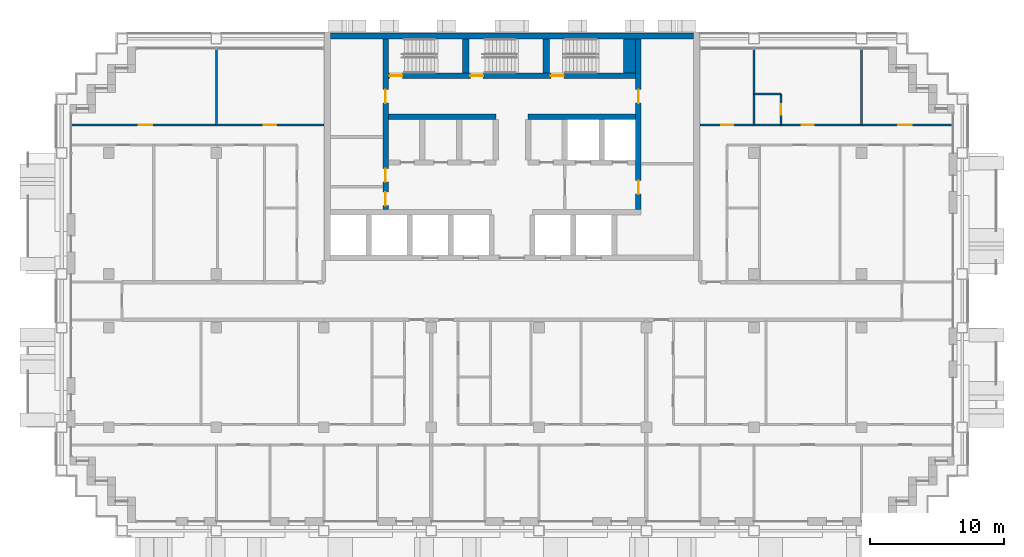
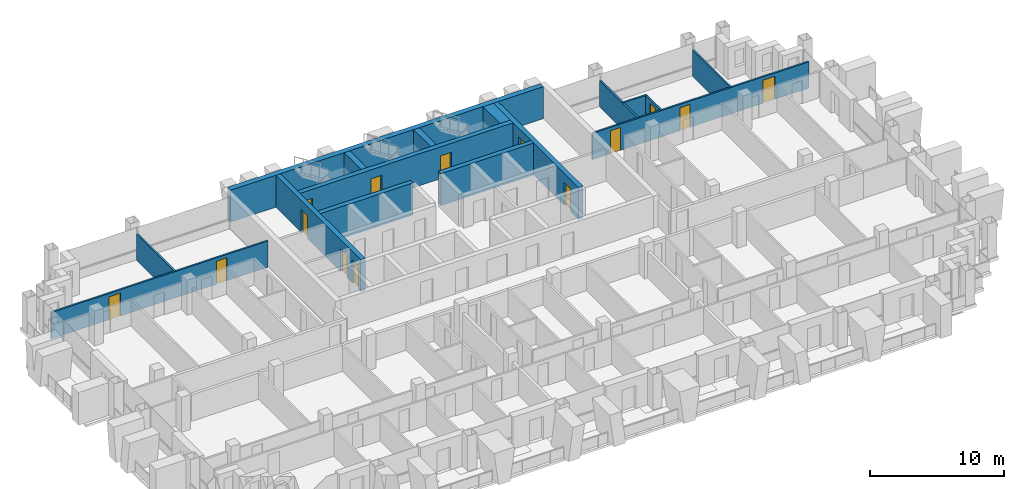
# One storey, part 11 of 16: 16 walls, 14 doors, 14 openings.
"""IFC4 building model written with IfcOpenShell, lengths in metres."""

import ifcopenshell
import ifcopenshell.guid

model = None  # the IFC model being written
_history = None  # IfcOwnerHistory: only IFC2X3 demands one
_inside = {}  # id of a spatial element -> (the spatial element, [elements in it])
_under = {}  # id of a project, library or spatial element -> (it, [spatial elements below it])
_declared = {}  # id of a project -> (the project, [libraries it declares])
_typed = {}  # id of a type object -> (the type object, [elements of that type])
_made_of = {}  # id of a material, layer set ... -> (it, [elements and type objects made of it])


def new_model(schema):
    """Start an empty IFC model of exactly this schema.

    Asked for "IFC4X3", IfcOpenShell would pick the latest addendum, in which some entities
    have other attributes; the version numbers below select the first issue.
    IFC2X3 requires an IfcOwnerHistory on every rooted entity: one is made here for all.
    """
    global model, _history
    if schema == "IFC4X3":
        model = ifcopenshell.file(schema_version=(4, 3, 0, 0))
    else:
        model = ifcopenshell.file(schema=schema)
    _inside.clear()
    _under.clear()
    _declared.clear()
    _typed.clear()
    _made_of.clear()
    _history = None
    if model.schema == "IFC2X3":
        org = make("IfcOrganization", Name="unknown")
        user = make(
            "IfcPersonAndOrganization",
            ThePerson=make("IfcPerson", FamilyName="unknown"),
            TheOrganization=org,
        )
        app = make(
            "IfcApplication",
            ApplicationDeveloper=org,
            Version="unknown",
            ApplicationFullName="unknown",
            ApplicationIdentifier="unknown",
        )
        _history = make(
            "IfcOwnerHistory",
            OwningUser=user,
            OwningApplication=app,
            ChangeAction="ADDED",
            CreationDate=0,
        )
    return model


def make(cls, **values):
    """One entity of the class cls with the attributes given. An attribute that is None is left unset."""
    return model.create_entity(
        cls, **{name: value for name, value in values.items() if value is not None}
    )


def rooted(cls, **values):
    """An entity with a GlobalId (a new one), such as an element, a storey or a relation."""
    return make(cls, GlobalId=ifcopenshell.guid.new(), OwnerHistory=_history, **values)


def si_unit(unit_type, name, prefix=None):
    """IfcSIUnit, for example si_unit("LENGTHUNIT", "METRE", prefix="MILLI")."""
    return make("IfcSIUnit", UnitType=unit_type, Prefix=prefix, Name=name)


def assignment(units):
    """IfcUnitAssignment: the units of a project."""
    return None if units is None else make("IfcUnitAssignment", Units=units)


def point(xyz):
    """IfcCartesianPoint."""
    return None if xyz is None else make("IfcCartesianPoint", Coordinates=xyz)


def direction(xyz):
    """IfcDirection."""
    return None if xyz is None else make("IfcDirection", DirectionRatios=xyz)


def frame(location, z_axis=None, x_axis=None):
    """IfcAxis2Placement3D, a coordinate frame: its origin and axes. An axis left out is left unset."""
    return make(
        "IfcAxis2Placement3D",
        Location=point(location),
        Axis=direction(z_axis),
        RefDirection=direction(x_axis),
    )


def frame_2d(location, x_axis=None):
    """IfcAxis2Placement2D, a coordinate frame in the plane: its origin and x axis."""
    return make(
        "IfcAxis2Placement2D", Location=point(location), RefDirection=direction(x_axis)
    )


def origin():
    """The frame at (0, 0, 0) with its axes left unset."""
    return frame((0.0, 0.0, 0.0))


def place(relative_to, where):
    """IfcLocalPlacement: puts the frame where relative to a parent placement (None: the world)."""
    return make(
        "IfcLocalPlacement", PlacementRelTo=relative_to, RelativePlacement=where
    )


def context(
    kind, dimensions, precision=None, world=None, true_north=None, identifier=None
):
    """IfcGeometricRepresentationContext, for example the 3D "Model" context."""
    return make(
        "IfcGeometricRepresentationContext",
        ContextIdentifier=identifier,
        ContextType=kind,
        CoordinateSpaceDimension=dimensions,
        Precision=precision,
        WorldCoordinateSystem=world,
        TrueNorth=true_north,
    )


def subcontext(parent, identifier, kind, view, scale=None):
    """IfcGeometricRepresentationSubContext, for example "Body" below "Model"."""
    return make(
        "IfcGeometricRepresentationSubContext",
        ContextIdentifier=identifier,
        ContextType=kind,
        ParentContext=parent,
        TargetScale=scale,
        TargetView=view,
    )


def project(units=None, contexts=None):
    """IfcProject with its units and contexts."""
    return rooted(
        "IfcProject",
        Name="project",
        RepresentationContexts=contexts,
        UnitsInContext=assignment(units),
    )


def spatial(cls, under=None, at=None, **own):
    """A site, building, storey or space (cls), placed at a placement, below another one or the project."""
    s = rooted(cls, ObjectPlacement=at, **own)
    if under is not None:
        _under.setdefault(under.id(), (under, []))[1].append(s)
    return s


def profile(cls, at=None, kind="AREA", **sizes):
    """A parametric profile (cls). Its sizes go by their IFC names, for example OverallWidth=200.0."""
    return make(cls, ProfileType=kind, Position=at, **sizes)


def rectangle(**sizes):
    """IfcRectangleProfileDef."""
    return profile("IfcRectangleProfileDef", **sizes)


def extrude(swept, where, along, depth):
    """IfcExtrudedAreaSolid: the profile swept, set in the frame where, extruded along a direction by depth."""
    return make(
        "IfcExtrudedAreaSolid",
        SweptArea=swept,
        Position=where,
        ExtrudedDirection=direction(along),
        Depth=depth,
    )


def shape(context_of_items, identifier, shape_type, items):
    """IfcShapeRepresentation: the items that make up one representation, for example the "Body"."""
    return make(
        "IfcShapeRepresentation",
        ContextOfItems=context_of_items,
        RepresentationIdentifier=identifier,
        RepresentationType=shape_type,
        Items=items,
    )


def material(Name=None, Category=None):
    """IfcMaterial."""
    return make("IfcMaterial", Name=Name, Category=Category)


def layer(
    of_material, thickness, ventilated=None, Name=None, Category=None, Priority=None
):
    """IfcMaterialLayer: one layer of a wall or slab, of a material (None: an air gap)."""
    return make(
        "IfcMaterialLayer",
        Material=of_material,
        LayerThickness=thickness,
        IsVentilated=ventilated,
        Name=Name,
        Category=Category,
        Priority=Priority,
    )


def layer_set(layers, Name=None):
    """IfcMaterialLayerSet."""
    return make("IfcMaterialLayerSet", MaterialLayers=layers, LayerSetName=Name)


def made_of(thing, what):
    """Note that an element or type object is made of a material, layer set ...; save() writes the relation."""
    if what is not None:
        _made_of.setdefault(what.id(), (what, []))[1].append(thing)
    return thing


def type_object(cls, material=None, **own):
    """A type object (cls), such as IfcWallType, which elements share."""
    return made_of(rooted(cls, **own), material)


def element(
    cls,
    number,
    at=None,
    inside=None,
    cuts=None,
    type_object=None,
    material=None,
    context=None,
    identifier="Body",
    shape_type=None,
    held_by="IfcProductDefinitionShape",
    body=None,
    shapes=None,
    **own,
):
    """One element of the class cls, such as IfcWall. Its Tag is "e" and its number.

    at: its placement. inside: the storey or other place that contains it. cuts: it is an
    opening in that element (IfcRelVoidsElement). A single representation is given by context,
    identifier, shape_type and body (its items); several are given by shapes. held_by: the class
    of the entity that holds the representations. save() writes the other relations.
    """
    e = rooted(cls, Tag="e%d" % number, ObjectPlacement=at, **own)
    if body is not None:
        shapes = [shape(context, identifier, shape_type, body)]
    if shapes is not None:
        e.Representation = make(held_by, Representations=shapes)
    if inside is not None:
        _inside.setdefault(inside.id(), (inside, []))[1].append(e)
    if cuts is not None:
        rooted(
            "IfcRelVoidsElement", RelatingBuildingElement=cuts, RelatedOpeningElement=e
        )
    if type_object is not None:
        _typed.setdefault(type_object.id(), (type_object, []))[1].append(e)
    return made_of(e, material)


def fill(opening, filler):
    """IfcRelFillsElement: the door or window that sits in an opening."""
    return rooted(
        "IfcRelFillsElement",
        RelatingOpeningElement=opening,
        RelatedBuildingElement=filler,
    )


def aggregate(whole, parts):
    """IfcRelAggregates: a whole, such as a stair, and the parts it consists of."""
    return rooted("IfcRelAggregates", RelatingObject=whole, RelatedObjects=parts)


def save(model, path):
    """Write the relations noted so far, then the file.

    IfcRelAggregates (storeys below a building ...), IfcRelContainedInSpatialStructure (elements
    in a storey), IfcRelDefinesByType, IfcRelAssociatesMaterial and IfcRelDeclares: one each for
    every whole, place, type object, material and project.
    """
    for whole, parts in _under.values():
        aggregate(whole, parts)
    for where, things in _inside.values():
        rooted(
            "IfcRelContainedInSpatialStructure",
            RelatedElements=things,
            RelatingStructure=where,
        )
    for kind, things in _typed.values():
        rooted("IfcRelDefinesByType", RelatedObjects=things, RelatingType=kind)
    for what, things in _made_of.values():
        rooted("IfcRelAssociatesMaterial", RelatedObjects=things, RelatingMaterial=what)
    for by, libraries in _declared.values():
        rooted("IfcRelDeclares", RelatingContext=by, RelatedDefinitions=libraries)
    model.write(path)


model = new_model("IFC4")

# Units and contexts
model_context = context("Model", 3, precision=1e-05, world=origin(), true_north=direction((0.0, 1.0)))
body_context = subcontext(model_context, "Body", "Model", "MODEL_VIEW")
ifc_project = project(units=[si_unit("LENGTHUNIT", "METRE"), si_unit("AREAUNIT", "SQUARE_METRE"), si_unit("VOLUMEUNIT", "CUBIC_METRE"), si_unit("PLANEANGLEUNIT", "RADIAN"), si_unit("MASSUNIT", "GRAM", prefix="KILO")], contexts=[model_context])

# Site, building, storey
site_placement = place(None, origin())
site = spatial("IfcSite", under=ifc_project, at=site_placement, CompositionType="ELEMENT")
building_placement = place(site_placement, origin())
building = spatial("IfcBuilding", under=site, at=building_placement, Name="Vidyagriha Tower", CompositionType="ELEMENT")
storey_placement = place(building_placement, frame((0.0, 0.0, 135.800048828125)))
storey = spatial("IfcBuildingStorey", under=building, at=storey_placement, Name="L35", CompositionType="ELEMENT", Elevation=135.800048828125)

# Wall, openings, doors
ifc_material_1 = material(Name="Concrete C60/75", Category="concrete")
ifc_layer_1 = layer(ifc_material_1, 0.39990234375)
ifc_layer_set_1 = layer_set([ifc_layer_1], Name="Concrete C60/75")
wall_type_1 = type_object("IfcWallType", Name="Core shear wall 400 mm", PredefinedType="SHEAR", material=ifc_layer_set_1)
wall_1_placement = place(storey_placement, frame((-9.39990234375, 6.800048828125, 0.0), z_axis=(0.0, 0.0, 1.0), x_axis=(0.0, 1.0, 0.0)))
wall_1 = element("IfcWall", 1, at=wall_1_placement, inside=storey, type_object=wall_type_1, Name="Core west spine wall", PredefinedType="SHEAR", context=body_context, shape_type="SweptSolid", body=[
    extrude(rectangle(XDim=12.699951171875, YDim=0.39990234375, at=frame_2d((6.35009765625, 0.0))), origin(), (0.0, 0.0, 1.0), 2.919921875),
])
opening_1_placement = place(wall_1_placement, frame((0.300048828125, 0.0, 0.0)))
opening_1 = element("IfcOpeningElement", 2, at=opening_1_placement, cuts=wall_1, Name="Opening D35-10", PredefinedType="OPENING", context=body_context, shape_type="SweptSolid", body=[
    extrude(rectangle(XDim=1.0, YDim=2.10009765625, at=frame_2d((0.5, 1.050048828125))), frame((0.0, 0.2099609375, 0.0), z_axis=(0.0, -1.0, 0.0), x_axis=(1.0, 0.0, 0.0)), (0.0, 0.0, 1.0), 0.419921875),
])
opening_2_placement = place(wall_1_placement, frame((2.050048828125, 0.0, 0.0)))
opening_2 = element("IfcOpeningElement", 3, at=opening_2_placement, cuts=wall_1, Name="Opening D35-11", PredefinedType="OPENING", context=body_context, shape_type="SweptSolid", body=[
    extrude(rectangle(XDim=1.0, YDim=2.10009765625, at=frame_2d((0.5, 1.050048828125))), frame((0.0, 0.2099609375, 0.0), z_axis=(0.0, -1.0, 0.0), x_axis=(1.0, 0.0, 0.0)), (0.0, 0.0, 1.0), 0.419921875),
])
opening_3_placement = place(wall_1_placement, frame((7.925048828125, 0.0, 0.0)))
opening_3 = element("IfcOpeningElement", 4, at=opening_3_placement, cuts=wall_1, Name="Opening D35-12", PredefinedType="OPENING", context=body_context, shape_type="SweptSolid", body=[
    extrude(rectangle(XDim=1.0, YDim=2.10009765625, at=frame_2d((0.5, 1.050048828125))), frame((0.0, 0.2099609375, 0.0), z_axis=(0.0, -1.0, 0.0), x_axis=(1.0, 0.0, 0.0)), (0.0, 0.0, 1.0), 0.419921875),
])
ifc_material_2 = material(Name="Hollow metal door leaf")
door_type_1 = type_object("IfcDoorType", Name="Core room door 1000 x 2100 mm EI 60", OperationType="NOTDEFINED", PredefinedType="DOOR", material=ifc_material_2)
door_1_placement = place(opening_1_placement, frame((1.0, 0.0, 0.0), z_axis=(0.0, 0.0, 1.0), x_axis=(-1.0, 0.0, 0.0)))
door_1 = element("IfcDoor", 5, at=door_1_placement, inside=storey, type_object=door_type_1, Name="Door Communications Room 35.W1", OperationType="SINGLE_SWING_RIGHT", OverallHeight=2.10009765625, OverallWidth=1.0, PredefinedType="DOOR", context=body_context, shape_type="SweptSolid", body=[
    extrude(rectangle(XDim=1.0, YDim=2.10009765625, at=frame_2d((0.5, 1.050048828125))), frame((0.0, 0.02490234375, 0.0), z_axis=(0.0, -1.0, 0.0), x_axis=(1.0, 0.0, 0.0)), (0.0, 0.0, 1.0), 0.050048828125),
])
fill(opening_1, door_1)
door_2_placement = place(opening_2_placement, frame((1.0, 0.0, 0.0), z_axis=(0.0, 0.0, 1.0), x_axis=(-1.0, 0.0, 0.0)))
door_2 = element("IfcDoor", 6, at=door_2_placement, inside=storey, type_object=door_type_1, Name="Door Pressurisation Plant Room 35.W2", OperationType="SINGLE_SWING_LEFT", OverallHeight=2.10009765625, OverallWidth=1.0, PredefinedType="DOOR", context=body_context, shape_type="SweptSolid", body=[
    extrude(rectangle(XDim=1.0, YDim=2.10009765625, at=frame_2d((0.5, 1.050048828125))), frame((0.0, 0.02490234375, 0.0), z_axis=(0.0, -1.0, 0.0), x_axis=(1.0, 0.0, 0.0)), (0.0, 0.0, 1.0), 0.050048828125),
])
fill(opening_2, door_2)
door_3_placement = place(opening_3_placement, frame((1.0, 0.0, 0.0), z_axis=(0.0, 0.0, 1.0), x_axis=(-1.0, 0.0, 0.0)))
door_3 = element("IfcDoor", 7, at=door_3_placement, inside=storey, type_object=door_type_1, Name="Door Switchgear Room 35.W3", OperationType="SINGLE_SWING_LEFT", OverallHeight=2.10009765625, OverallWidth=1.0, PredefinedType="DOOR", context=body_context, shape_type="SweptSolid", body=[
    extrude(rectangle(XDim=1.0, YDim=2.10009765625, at=frame_2d((0.5, 1.050048828125))), frame((0.0, 0.02490234375, 0.0), z_axis=(0.0, -1.0, 0.0), x_axis=(1.0, 0.0, 0.0)), (0.0, 0.0, 1.0), 0.050048828125),
])
fill(opening_3, door_3)

wall_2_placement = place(storey_placement, frame((9.39990234375, 6.800048828125, 0.0), z_axis=(0.0, 0.0, 1.0), x_axis=(0.0, 1.0, 0.0)))
wall_2 = element("IfcWall", 8, at=wall_2_placement, inside=storey, type_object=wall_type_1, Name="Core east spine wall", PredefinedType="SHEAR", context=body_context, shape_type="SweptSolid", body=[
    extrude(rectangle(XDim=12.699951171875, YDim=0.39990234375, at=frame_2d((6.35009765625, 0.0))), origin(), (0.0, 0.0, 1.0), 2.919921875),
])
opening_4_placement = place(wall_2_placement, frame((1.14990234375, 0.0, 0.0)))
opening_4 = element("IfcOpeningElement", 9, at=opening_4_placement, cuts=wall_2, Name="Opening D35-13", PredefinedType="OPENING", context=body_context, shape_type="SweptSolid", body=[
    extrude(rectangle(XDim=1.0, YDim=2.10009765625, at=frame_2d((0.5, 1.050048828125))), frame((0.0, 0.2099609375, 0.0), z_axis=(0.0, -1.0, 0.0), x_axis=(1.0, 0.0, 0.0)), (0.0, 0.0, 1.0), 0.419921875),
])
opening_5_placement = place(wall_2_placement, frame((7.925048828125, 0.0, 0.0)))
opening_5 = element("IfcOpeningElement", 10, at=opening_5_placement, cuts=wall_2, Name="Opening D35-14", PredefinedType="OPENING", context=body_context, shape_type="SweptSolid", body=[
    extrude(rectangle(XDim=1.0, YDim=2.10009765625, at=frame_2d((0.5, 1.050048828125))), frame((0.0, 0.2099609375, 0.0), z_axis=(0.0, -1.0, 0.0), x_axis=(1.0, 0.0, 0.0)), (0.0, 0.0, 1.0), 0.419921875),
])
door_4_placement = place(opening_4_placement, origin())
door_4 = element("IfcDoor", 11, at=door_4_placement, inside=storey, type_object=door_type_1, Name="Door Refuse Room 35.E1", OperationType="SINGLE_SWING_RIGHT", OverallHeight=2.10009765625, OverallWidth=1.0, PredefinedType="DOOR", context=body_context, shape_type="SweptSolid", body=[
    extrude(rectangle(XDim=1.0, YDim=2.10009765625, at=frame_2d((0.5, 1.050048828125))), frame((0.0, 0.02490234375, 0.0), z_axis=(0.0, -1.0, 0.0), x_axis=(1.0, 0.0, 0.0)), (0.0, 0.0, 1.0), 0.050048828125),
])
fill(opening_4, door_4)
door_5_placement = place(opening_5_placement, origin())
door_5 = element("IfcDoor", 12, at=door_5_placement, inside=storey, type_object=door_type_1, Name="Door Switchgear Room 35.E2", OperationType="SINGLE_SWING_LEFT", OverallHeight=2.10009765625, OverallWidth=1.0, PredefinedType="DOOR", context=body_context, shape_type="SweptSolid", body=[
    extrude(rectangle(XDim=1.0, YDim=2.10009765625, at=frame_2d((0.5, 1.050048828125))), frame((0.0, 0.02490234375, 0.0), z_axis=(0.0, -1.0, 0.0), x_axis=(1.0, 0.0, 0.0)), (0.0, 0.0, 1.0), 0.050048828125),
])
fill(opening_5, door_5)

# Walls
for number, where, name in (
    (13, (-9.199951171875, 13.699951171875, 0.0), "Core row N rear wall"),
    (14, (1.199951171875, 13.699951171875, 0.0), "Core row N rear wall"),
):
    element("IfcWall", number, at=place(storey_placement, frame(where)), inside=storey, type_object=wall_type_1, Name=name, PredefinedType="SHEAR", context=body_context, shape_type="SweptSolid", body=[
        extrude(rectangle(XDim=8.0, YDim=0.39990234375, at=frame_2d((4.0, 0.0))), origin(), (0.0, 0.0, 1.0), 2.919921875),
    ])

# Wall, openings, doors
wall_3_placement = place(storey_placement, frame((-9.199951171875, 16.75, 0.0)))
wall_3 = element("IfcWall", 15, at=wall_3_placement, inside=storey, type_object=wall_type_1, Name="Stair front wall", PredefinedType="SHEAR", context=body_context, shape_type="SweptSolid", body=[
    extrude(rectangle(XDim=18.39990234375, YDim=0.39990234375, at=frame_2d((9.199951171875, 0.0))), origin(), (0.0, 0.0, 1.0), 2.919921875),
])
opening_6_placement = place(wall_3_placement, frame((0.10009765625, 0.0, 0.0)))
opening_6 = element("IfcOpeningElement", 16, at=opening_6_placement, cuts=wall_3, Name="Opening D35-07", PredefinedType="OPENING", context=body_context, shape_type="SweptSolid", body=[
    extrude(rectangle(XDim=0.949951171875, YDim=2.10009765625, at=frame_2d((0.47509765625, 1.050048828125))), frame((0.0, 0.2099609375, 0.0), z_axis=(0.0, -1.0, 0.0), x_axis=(1.0, 0.0, 0.0)), (0.0, 0.0, 1.0), 0.419921875),
])
opening_7_placement = place(wall_3_placement, frame((6.10009765625, 0.0, 0.0)))
opening_7 = element("IfcOpeningElement", 17, at=opening_7_placement, cuts=wall_3, Name="Opening D35-08", PredefinedType="OPENING", context=body_context, shape_type="SweptSolid", body=[
    extrude(rectangle(XDim=0.949951171875, YDim=2.10009765625, at=frame_2d((0.47509765625, 1.050048828125))), frame((0.0, 0.2099609375, 0.0), z_axis=(0.0, -1.0, 0.0), x_axis=(1.0, 0.0, 0.0)), (0.0, 0.0, 1.0), 0.419921875),
])
opening_8_placement = place(wall_3_placement, frame((12.10009765625, 0.0, 0.0)))
opening_8 = element("IfcOpeningElement", 18, at=opening_8_placement, cuts=wall_3, Name="Opening D35-09", PredefinedType="OPENING", context=body_context, shape_type="SweptSolid", body=[
    extrude(rectangle(XDim=0.949951171875, YDim=2.10009765625, at=frame_2d((0.47509765625, 1.050048828125))), frame((0.0, 0.2099609375, 0.0), z_axis=(0.0, -1.0, 0.0), x_axis=(1.0, 0.0, 0.0)), (0.0, 0.0, 1.0), 0.419921875),
])
ifc_material_3 = material(Name="Hollow metal door leaf")
door_type_2 = type_object("IfcDoorType", Name="Exit stair door 950 x 2100 mm EI 90", OperationType="NOTDEFINED", PredefinedType="DOOR", material=ifc_material_3)
door_6_placement = place(opening_6_placement, origin())
door_6 = element("IfcDoor", 19, at=door_6_placement, inside=storey, type_object=door_type_2, Name="Stair door ST1 L35", OperationType="SINGLE_SWING_LEFT", OverallHeight=2.10009765625, OverallWidth=0.949951171875, PredefinedType="DOOR", context=body_context, shape_type="SweptSolid", body=[
    extrude(rectangle(XDim=0.949951171875, YDim=2.10009765625, at=frame_2d((0.47509765625, 1.050048828125))), frame((0.0, 0.02490234375, 0.0), z_axis=(0.0, -1.0, 0.0), x_axis=(1.0, 0.0, 0.0)), (0.0, 0.0, 1.0), 0.050048828125),
])
fill(opening_6, door_6)
door_7_placement = place(opening_7_placement, origin())
door_7 = element("IfcDoor", 20, at=door_7_placement, inside=storey, type_object=door_type_2, Name="Stair door ST2 L35", OperationType="SINGLE_SWING_LEFT", OverallHeight=2.10009765625, OverallWidth=0.949951171875, PredefinedType="DOOR", context=body_context, shape_type="SweptSolid", body=[
    extrude(rectangle(XDim=0.949951171875, YDim=2.10009765625, at=frame_2d((0.47509765625, 1.050048828125))), frame((0.0, 0.02490234375, 0.0), z_axis=(0.0, -1.0, 0.0), x_axis=(1.0, 0.0, 0.0)), (0.0, 0.0, 1.0), 0.050048828125),
])
fill(opening_7, door_7)
door_8_placement = place(opening_8_placement, origin())
door_8 = element("IfcDoor", 21, at=door_8_placement, inside=storey, type_object=door_type_2, Name="Stair door ST3 L35", OperationType="SINGLE_SWING_LEFT", OverallHeight=2.10009765625, OverallWidth=0.949951171875, PredefinedType="DOOR", context=body_context, shape_type="SweptSolid", body=[
    extrude(rectangle(XDim=0.949951171875, YDim=2.10009765625, at=frame_2d((0.47509765625, 1.050048828125))), frame((0.0, 0.02490234375, 0.0), z_axis=(0.0, -1.0, 0.0), x_axis=(1.0, 0.0, 0.0)), (0.0, 0.0, 1.0), 0.050048828125),
])
fill(opening_8, door_8)

# Walls
ifc_material_4 = material(Name="Concrete C60/75", Category="concrete")
ifc_layer_2 = layer(ifc_material_4, 0.449951171875)
ifc_layer_set_2 = layer_set([ifc_layer_2], Name="Concrete C60/75")
wall_type_2 = type_object("IfcWallType", Name="Core shear wall 450 mm", PredefinedType="SHEAR", material=ifc_layer_set_2)
wall_4_placement = place(storey_placement, frame((-13.5, 19.72509765625, 0.0)))
element("IfcWall", 22, at=wall_4_placement, inside=storey, type_object=wall_type_2, Name="Core north wall", PredefinedType="SHEAR", context=body_context, shape_type="SweptSolid", body=[
    extrude(rectangle(XDim=27.0, YDim=0.449951171875, at=frame_2d((13.5, 0.0))), origin(), (0.0, 0.0, 1.0), 2.919921875),
])
ifc_material_5 = material(Name="Concrete C60/75", Category="concrete")
ifc_layer_3 = layer(ifc_material_5, 0.5)
ifc_layer_set_3 = layer_set([ifc_layer_3], Name="Concrete C60/75")
wall_type_3 = type_object("IfcWallType", Name="Core shear wall 500 mm", PredefinedType="SHEAR", material=ifc_layer_set_3)
for number, where, z_axis, x_axis, name in (
    (23, (-3.449951171875, 16.949951171875, 0.0), (0.0, 0.0, 1.0), (0.0, 1.0, 0.0), "Stair partition wall 1"),
    (24, (2.550048828125, 16.949951171875, 0.0), (0.0, 0.0, 1.0), (0.0, 1.0, 0.0), "Stair partition wall 2"),
):
    element("IfcWall", number, at=place(storey_placement, frame(where, z_axis=z_axis, x_axis=x_axis)), inside=storey, type_object=wall_type_3, Name=name, PredefinedType="SHEAR", context=body_context, shape_type="SweptSolid", body=[
        extrude(rectangle(XDim=2.550048828125, YDim=0.5, at=frame_2d((1.27490234375, 0.0))), origin(), (0.0, 0.0, 1.0), 2.919921875),
    ])
ifc_material_6 = material(Name="Concrete C60/75", Category="concrete")
ifc_layer_4 = layer(ifc_material_6, 0.89990234375)
ifc_layer_set_4 = layer_set([ifc_layer_4], Name="Concrete C60/75")
wall_type_4 = type_object("IfcWallType", Name="Core shear wall 900 mm", PredefinedType="SHEAR", material=ifc_layer_set_4)
wall_5_placement = place(storey_placement, frame((8.75, 16.949951171875, 0.0), z_axis=(0.0, 0.0, 1.0), x_axis=(0.0, 1.0, 0.0)))
element("IfcWall", 25, at=wall_5_placement, inside=storey, type_object=wall_type_4, Name="Stair end wall", PredefinedType="SHEAR", context=body_context, shape_type="SweptSolid", body=[
    extrude(rectangle(XDim=2.550048828125, YDim=0.89990234375, at=frame_2d((1.27490234375, 0.0))), origin(), (0.0, 0.0, 1.0), 2.919921875),
])

# Wall, openings, doors
ifc_material_7 = material(Name="Gypsum board partition")
ifc_layer_5 = layer(ifc_material_7, 0.14990234375)
ifc_layer_set_5 = layer_set([ifc_layer_5], Name="Gypsum board partition")
wall_type_5 = type_object("IfcWallType", Name="Gypsum board partition 150", PredefinedType="PARTITIONING", material=ifc_layer_set_5)
wall_6_placement = place(storey_placement, frame((-32.719970703125, 13.10009765625, 0.0)))
wall_6 = element("IfcWall", 26, at=wall_6_placement, inside=storey, type_object=wall_type_5, Name="Wall all-L35-w078", PredefinedType="PARTITIONING", context=body_context, shape_type="SweptSolid", body=[
    extrude(rectangle(XDim=18.719970703125, YDim=0.14990234375, at=frame_2d((9.35986328125, 0.0))), origin(), (0.0, 0.0, 1.0), 2.39990234375),
])
opening_9_placement = place(wall_6_placement, frame((4.969970703125, 0.0, 0.0)))
opening_9 = element("IfcOpeningElement", 27, at=opening_9_placement, cuts=wall_6, Name="Opening D35-50", PredefinedType="OPENING", context=body_context, shape_type="SweptSolid", body=[
    extrude(rectangle(XDim=1.0, YDim=2.10009765625, at=frame_2d((0.5, 1.050048828125))), frame((0.0, 0.0849609375, 0.0), z_axis=(0.0, -1.0, 0.0), x_axis=(1.0, 0.0, 0.0)), (0.0, 0.0, 1.0), 0.169921875),
])
opening_10_placement = place(wall_6_placement, frame((14.27001953125, 0.0, 0.0)))
opening_10 = element("IfcOpeningElement", 28, at=opening_10_placement, cuts=wall_6, Name="Opening D35-51", PredefinedType="OPENING", context=body_context, shape_type="SweptSolid", body=[
    extrude(rectangle(XDim=0.89990234375, YDim=2.10009765625, at=frame_2d((0.449951171875, 1.050048828125))), frame((0.0, 0.0849609375, 0.0), z_axis=(0.0, -1.0, 0.0), x_axis=(1.0, 0.0, 0.0)), (0.0, 0.0, 1.0), 0.169921875),
])
ifc_material_8 = material(Name="Timber door leaf", Category="wood")
door_type_3 = type_object("IfcDoorType", Name="Room door 1000x2100", OperationType="NOTDEFINED", PredefinedType="DOOR", material=ifc_material_8)
door_9_placement = place(opening_9_placement, origin())
door_9 = element("IfcDoor", 29, at=door_9_placement, inside=storey, type_object=door_type_3, Name="Door D35-50", OperationType="SINGLE_SWING_RIGHT", OverallHeight=2.10009765625, OverallWidth=1.0, PredefinedType="DOOR", context=body_context, shape_type="SweptSolid", body=[
    extrude(rectangle(XDim=1.0, YDim=2.10009765625, at=frame_2d((0.5, 1.050048828125))), frame((0.0, 0.02490234375, 0.0), z_axis=(0.0, -1.0, 0.0), x_axis=(1.0, 0.0, 0.0)), (0.0, 0.0, 1.0), 0.050048828125),
])
fill(opening_9, door_9)
ifc_material_9 = material(Name="Timber door leaf", Category="wood")
door_type_4 = type_object("IfcDoorType", Name="Room door 900x2100", OperationType="NOTDEFINED", PredefinedType="DOOR", material=ifc_material_9)
door_10_placement = place(opening_10_placement, origin())
door_10 = element("IfcDoor", 30, at=door_10_placement, inside=storey, type_object=door_type_4, Name="Door D35-51", OperationType="SINGLE_SWING_RIGHT", OverallHeight=2.10009765625, OverallWidth=0.89990234375, PredefinedType="DOOR", context=body_context, shape_type="SweptSolid", body=[
    extrude(rectangle(XDim=0.89990234375, YDim=2.10009765625, at=frame_2d((0.449951171875, 1.050048828125))), frame((0.0, 0.02490234375, 0.0), z_axis=(0.0, -1.0, 0.0), x_axis=(1.0, 0.0, 0.0)), (0.0, 0.0, 1.0), 0.050048828125),
])
fill(opening_10, door_10)

# Wall
wall_7_placement = place(storey_placement, frame((-22.0, 18.720947265625, 0.0), z_axis=(0.0, 0.0, 1.0), x_axis=(0.0, -1.0, 0.0)))
element("IfcWall", 31, at=wall_7_placement, inside=storey, type_object=wall_type_5, Name="Wall all-L35-w081", PredefinedType="PARTITIONING", context=body_context, shape_type="SweptSolid", body=[
    extrude(rectangle(XDim=5.620849609375, YDim=0.14990234375, at=frame_2d((2.810546875, 0.0))), origin(), (0.0, 0.0, 1.0), 2.39990234375),
])

# Wall, openings, doors
wall_8_placement = place(storey_placement, frame((14.0, 13.10009765625, 0.0)))
wall_8 = element("IfcWall", 32, at=wall_8_placement, inside=storey, type_object=wall_type_5, Name="Wall all-L35-w096", PredefinedType="PARTITIONING", context=body_context, shape_type="SweptSolid", body=[
    extrude(rectangle(XDim=18.719970703125, YDim=0.14990234375, at=frame_2d((9.35986328125, 0.0))), origin(), (0.0, 0.0, 1.0), 2.39990234375),
])
opening_11_placement = place(wall_8_placement, frame((1.550048828125, 0.0, 0.0)))
opening_11 = element("IfcOpeningElement", 33, at=opening_11_placement, cuts=wall_8, Name="Opening D35-58", PredefinedType="OPENING", context=body_context, shape_type="SweptSolid", body=[
    extrude(rectangle(XDim=0.89990234375, YDim=2.10009765625, at=frame_2d((0.449951171875, 1.050048828125))), frame((0.0, 0.0849609375, 0.0), z_axis=(0.0, -1.0, 0.0), x_axis=(1.0, 0.0, 0.0)), (0.0, 0.0, 1.0), 0.169921875),
])
opening_12_placement = place(wall_8_placement, frame((7.550048828125, 0.0, 0.0)))
opening_12 = element("IfcOpeningElement", 34, at=opening_12_placement, cuts=wall_8, Name="Opening D35-59", PredefinedType="OPENING", context=body_context, shape_type="SweptSolid", body=[
    extrude(rectangle(XDim=0.89990234375, YDim=2.10009765625, at=frame_2d((0.449951171875, 1.050048828125))), frame((0.0, 0.0849609375, 0.0), z_axis=(0.0, -1.0, 0.0), x_axis=(1.0, 0.0, 0.0)), (0.0, 0.0, 1.0), 0.169921875),
])
opening_13_placement = place(wall_8_placement, frame((14.75, 0.0, 0.0)))
opening_13 = element("IfcOpeningElement", 35, at=opening_13_placement, cuts=wall_8, Name="Opening D35-60", PredefinedType="OPENING", context=body_context, shape_type="SweptSolid", body=[
    extrude(rectangle(XDim=1.0, YDim=2.10009765625, at=frame_2d((0.5, 1.050048828125))), frame((0.0, 0.0849609375, 0.0), z_axis=(0.0, -1.0, 0.0), x_axis=(1.0, 0.0, 0.0)), (0.0, 0.0, 1.0), 0.169921875),
])
door_11_placement = place(opening_13_placement, origin())
door_11 = element("IfcDoor", 36, at=door_11_placement, inside=storey, type_object=door_type_3, Name="Door D35-60", OperationType="SINGLE_SWING_RIGHT", OverallHeight=2.10009765625, OverallWidth=1.0, PredefinedType="DOOR", context=body_context, shape_type="SweptSolid", body=[
    extrude(rectangle(XDim=1.0, YDim=2.10009765625, at=frame_2d((0.5, 1.050048828125))), frame((0.0, 0.02490234375, 0.0), z_axis=(0.0, -1.0, 0.0), x_axis=(1.0, 0.0, 0.0)), (0.0, 0.0, 1.0), 0.050048828125),
])
fill(opening_13, door_11)
door_12_placement = place(opening_11_placement, origin())
door_12 = element("IfcDoor", 37, at=door_12_placement, inside=storey, type_object=door_type_4, Name="Door D35-58", OperationType="SINGLE_SWING_RIGHT", OverallHeight=2.10009765625, OverallWidth=0.89990234375, PredefinedType="DOOR", context=body_context, shape_type="SweptSolid", body=[
    extrude(rectangle(XDim=0.89990234375, YDim=2.10009765625, at=frame_2d((0.449951171875, 1.050048828125))), frame((0.0, 0.02490234375, 0.0), z_axis=(0.0, -1.0, 0.0), x_axis=(1.0, 0.0, 0.0)), (0.0, 0.0, 1.0), 0.050048828125),
])
fill(opening_11, door_12)
door_13_placement = place(opening_12_placement, origin())
door_13 = element("IfcDoor", 38, at=door_13_placement, inside=storey, type_object=door_type_4, Name="Door D35-59", OperationType="SINGLE_SWING_RIGHT", OverallHeight=2.10009765625, OverallWidth=0.89990234375, PredefinedType="DOOR", context=body_context, shape_type="SweptSolid", body=[
    extrude(rectangle(XDim=0.89990234375, YDim=2.10009765625, at=frame_2d((0.449951171875, 1.050048828125))), frame((0.0, 0.02490234375, 0.0), z_axis=(0.0, -1.0, 0.0), x_axis=(1.0, 0.0, 0.0)), (0.0, 0.0, 1.0), 0.050048828125),
])
fill(opening_12, door_13)

# Walls
for number, where, z_axis, x_axis, name in (
    (39, (18.0, 18.720947265625, 0.0), (0.0, 0.0, 1.0), (0.0, -1.0, 0.0), "Wall all-L35-w100"),
    (40, (26.0, 18.720947265625, 0.0), (0.0, 0.0, 1.0), (0.0, -1.0, 0.0), "Wall all-L35-w101"),
):
    element("IfcWall", number, at=place(storey_placement, frame(where, z_axis=z_axis, x_axis=x_axis)), inside=storey, type_object=wall_type_5, Name=name, PredefinedType="PARTITIONING", context=body_context, shape_type="SweptSolid", body=[
        extrude(rectangle(XDim=5.620849609375, YDim=0.14990234375, at=frame_2d((2.810546875, 0.0))), origin(), (0.0, 0.0, 1.0), 2.39990234375),
    ])

# Wall, opening, door
wall_9_placement = place(storey_placement, frame((20.0, 15.39990234375, 0.0), z_axis=(0.0, 0.0, 1.0), x_axis=(0.0, -1.0, 0.0)))
wall_9 = element("IfcWall", 41, at=wall_9_placement, inside=storey, type_object=wall_type_5, Name="Wall all-L35-w102", PredefinedType="PARTITIONING", context=body_context, shape_type="SweptSolid", body=[
    extrude(rectangle(XDim=2.2998046875, YDim=0.14990234375, at=frame_2d((1.14990234375, 0.0))), origin(), (0.0, 0.0, 1.0), 2.39990234375),
])
opening_14_placement = place(wall_9_placement, frame((0.75, 0.0, 0.0)))
opening_14 = element("IfcOpeningElement", 42, at=opening_14_placement, cuts=wall_9, Name="Opening D35-61", PredefinedType="OPENING", context=body_context, shape_type="SweptSolid", body=[
    extrude(rectangle(XDim=0.800048828125, YDim=2.10009765625, at=frame_2d((0.39990234375, 1.050048828125))), frame((0.0, 0.0849609375, 0.0), z_axis=(0.0, -1.0, 0.0), x_axis=(1.0, 0.0, 0.0)), (0.0, 0.0, 1.0), 0.169921875),
])
ifc_material_10 = material(Name="Timber door leaf", Category="wood")
door_type_5 = type_object("IfcDoorType", Name="Bathroom door 800x2100", OperationType="NOTDEFINED", PredefinedType="DOOR", material=ifc_material_10)
door_14_placement = place(opening_14_placement, origin())
door_14 = element("IfcDoor", 43, at=door_14_placement, inside=storey, type_object=door_type_5, Name="Door D35-61", OperationType="SINGLE_SWING_RIGHT", OverallHeight=2.10009765625, OverallWidth=0.800048828125, PredefinedType="DOOR", context=body_context, shape_type="SweptSolid", body=[
    extrude(rectangle(XDim=0.800048828125, YDim=2.10009765625, at=frame_2d((0.39990234375, 1.050048828125))), frame((0.0, 0.02490234375, 0.0), z_axis=(0.0, -1.0, 0.0), x_axis=(1.0, 0.0, 0.0)), (0.0, 0.0, 1.0), 0.050048828125),
])
fill(opening_14, door_14)

# Wall
wall_10_placement = place(storey_placement, frame((18.0, 15.39990234375, 0.0)))
element("IfcWall", 44, at=wall_10_placement, inside=storey, type_object=wall_type_5, Name="Wall all-L35-w103", PredefinedType="PARTITIONING", context=body_context, shape_type="SweptSolid", body=[
    extrude(rectangle(XDim=2.0, YDim=0.14990234375, at=frame_2d((1.0, 0.0))), origin(), (0.0, 0.0, 1.0), 2.39990234375),
])

save(model, "model.ifc")
